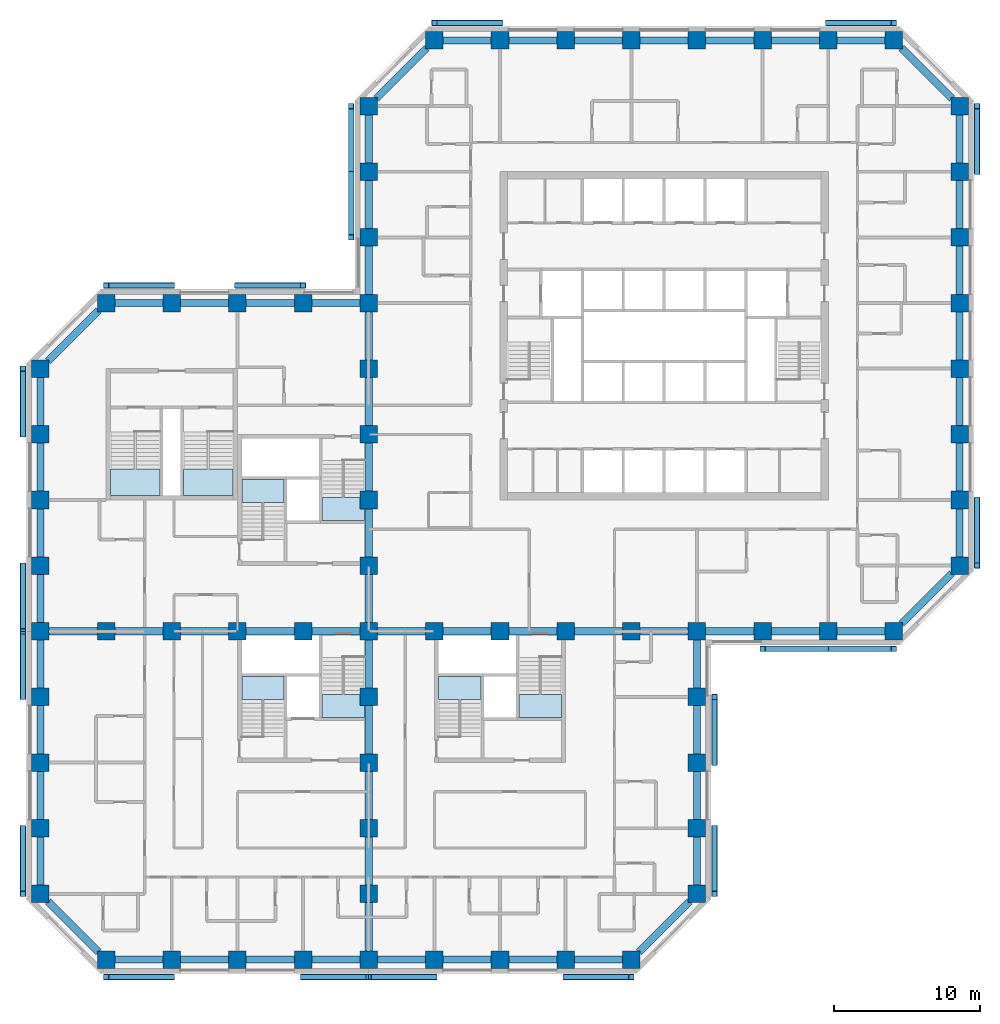
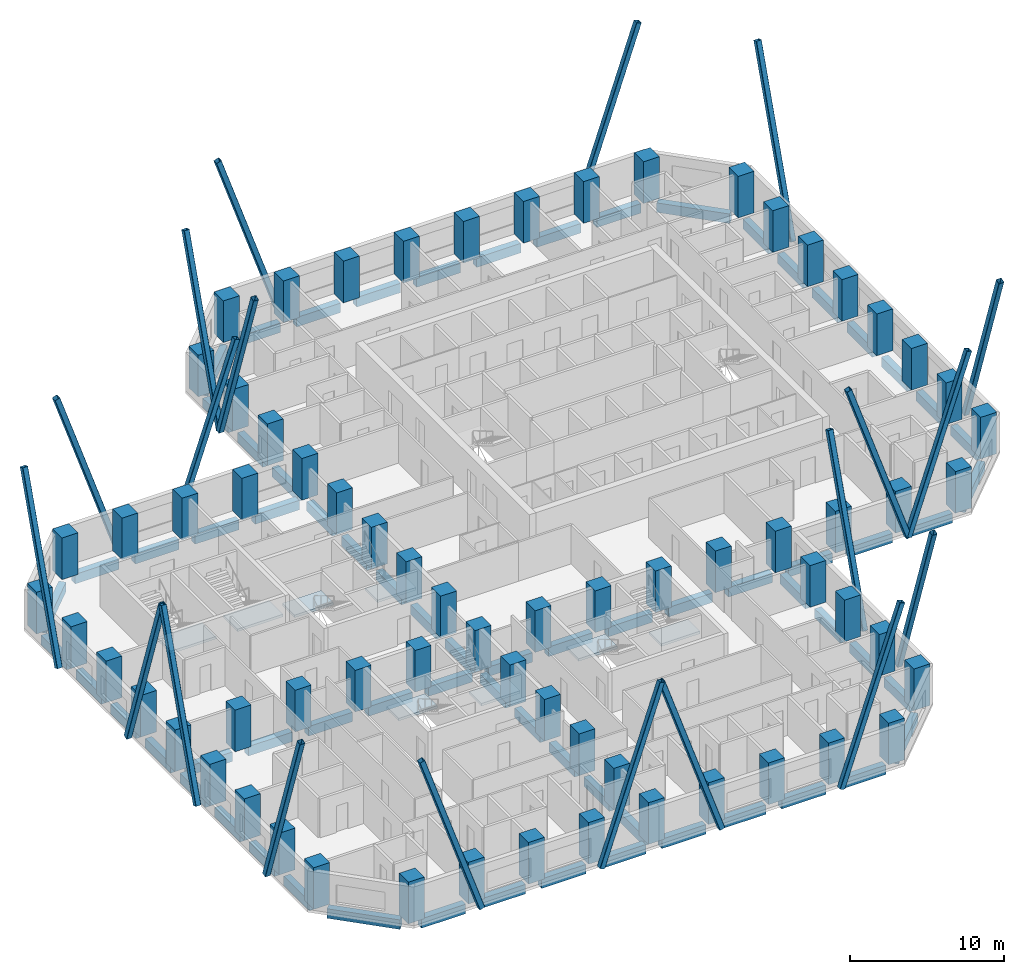
# One storey, part 1 of 13: 70 beams, 67 columns, 20 members, 8 slabs, 8 elements without a shape of their own.
"""IFC4 building model written with IfcOpenShell, lengths in metres."""

from ifc_helpers import new_model, si_unit, direction, frame, origin, origin_2d, place, context, subcontext, project, spatial, polyline, rectangle, hollow_rectangle, outline, extrude, material, layer, layer_set, material_profile, profile_set, type_object, element, aggregate, save


model = new_model("IFC4")

# Units and contexts
model_context = context("Model", 3, precision=1e-05, world=origin(), true_north=direction((0.0, 1.0)))
body_context = subcontext(model_context, "Body", "Model", "MODEL_VIEW")
ifc_project = project(units=[si_unit("LENGTHUNIT", "METRE"), si_unit("AREAUNIT", "SQUARE_METRE"), si_unit("VOLUMEUNIT", "CUBIC_METRE"), si_unit("PLANEANGLEUNIT", "RADIAN"), si_unit("MASSUNIT", "GRAM", prefix="KILO")], contexts=[model_context])

# Site, building, storey
site_placement = place(None, origin())
site = spatial("IfcSite", under=ifc_project, at=site_placement, CompositionType="ELEMENT")
building_placement = place(site_placement, origin())
building = spatial("IfcBuilding", under=site, at=building_placement, Name="Quoin Convention Tower", CompositionType="ELEMENT")
storey_placement = place(building_placement, frame((0.0, 0.0, 52.800048828125)))
storey = spatial("IfcBuildingStorey", under=building, at=storey_placement, Name="L13", CompositionType="ELEMENT", Elevation=52.800048828125)

# Columns
ifc_material_1 = material(Name="Concrete C80", Category="concrete")
ifc_material_profile_1 = material_profile(ifc_material_1, rectangle(XDim=1.199951171875, YDim=1.199951171875, at=origin_2d()), Name="RC 1200x1200")
ifc_profile_set_1 = profile_set([ifc_material_profile_1], Name="Concrete C80")
column_type = type_object("IfcColumnType", Name="RC 1200x1200 C80", PredefinedType="COLUMN", material=ifc_profile_set_1)
for number, where, z_axis, x_axis, name in (
    (1, (18.0, 18.0, 0.0), (0.0, 0.0, 1.0), (1.0, 0.0, 0.0), "col-L13-18000_18000"),
    (2, (22.5, 18.0, 0.0), (0.0, 0.0, 1.0), (1.0, 0.0, 0.0), "col-L13-22500_18000"),
    (3, (27.0, 18.0, 0.0), (0.0, 0.0, 1.0), (1.0, 0.0, 0.0), "col-L13-27000_18000"),
    (4, (31.5, 18.0, 0.0), (0.0, 0.0, 1.0), (1.0, 0.0, 0.0), "col-L13-31500_18000"),
    (5, (36.0, 18.0, 0.0), (0.0, 0.0, 1.0), (1.0, 0.0, 0.0), "col-L13-36000_18000"),
    (6, (40.5, 18.0, 0.0), (0.0, 0.0, 1.0), (1.0, 0.0, 0.0), "col-L13-40500_18000"),
    (7, (45.0, 18.0, 0.0), (0.0, 0.0, 1.0), (1.0, 0.0, 0.0), "col-L13-45000_18000"),
    (8, (49.5, 18.0, 0.0), (0.0, 0.0, 1.0), (1.0, 0.0, 0.0), "col-L13-49500_18000"),
    (9, (54.0, 18.0, 0.0), (0.0, 0.0, 1.0), (1.0, 0.0, 0.0), "col-L13-54000_18000"),
    (10, (13.5, 22.5, 0.0), (0.0, 0.0, 1.0), (1.0, 0.0, 0.0), "col-L13-13500_22500"),
    (11, (36.0, 22.5, 0.0), (0.0, 0.0, 1.0), (1.0, 0.0, 0.0), "web-L13-36000_22500"),
    (12, (58.5, 22.5, 0.0), (0.0, 0.0, 1.0), (1.0, 0.0, 0.0), "col-L13-58500_22500"),
    (13, (13.5, 27.0, 0.0), (0.0, 0.0, 1.0), (1.0, 0.0, 0.0), "col-L13-13500_27000"),
    (14, (36.0, 27.0, 0.0), (0.0, 0.0, 1.0), (1.0, 0.0, 0.0), "web-L13-36000_27000"),
    (15, (58.5, 27.0, 0.0), (0.0, 0.0, 1.0), (1.0, 0.0, 0.0), "col-L13-58500_27000"),
    (16, (13.5, 31.5, 0.0), (0.0, 0.0, 1.0), (1.0, 0.0, 0.0), "col-L13-13500_31500"),
    (17, (36.0, 31.5, 0.0), (0.0, 0.0, 1.0), (1.0, 0.0, 0.0), "web-L13-36000_31500"),
    (18, (58.5, 31.5, 0.0), (0.0, 0.0, 1.0), (1.0, 0.0, 0.0), "col-L13-58500_31500"),
    (19, (13.5, 36.0, 0.0), (0.0, 0.0, 1.0), (1.0, 0.0, 0.0), "col-L13-13500_36000"),
    (20, (36.0, 36.0, 0.0), (0.0, 0.0, 1.0), (1.0, 0.0, 0.0), "web-L13-36000_36000"),
    (21, (58.5, 36.0, 0.0), (0.0, 0.0, 1.0), (1.0, 0.0, 0.0), "col-L13-58500_36000"),
    (22, (13.5, 40.5, 0.0), (0.0, 0.0, 1.0), (1.0, 0.0, 0.0), "col-L13-13500_40500"),
    (23, (18.0, 40.5, 0.0), (0.0, 0.0, 1.0), (1.0, 0.0, 0.0), "web-L13-18000_40500"),
    (24, (22.5, 40.5, 0.0), (0.0, 0.0, 1.0), (1.0, 0.0, 0.0), "web-L13-22500_40500"),
    (25, (27.0, 40.5, 0.0), (0.0, 0.0, 1.0), (1.0, 0.0, 0.0), "web-L13-27000_40500"),
    (26, (31.5, 40.5, 0.0), (0.0, 0.0, 1.0), (1.0, 0.0, 0.0), "web-L13-31500_40500"),
    (27, (36.0, 40.5, 0.0), (0.0, 0.0, 1.0), (1.0, 0.0, 0.0), "web-L13-36000_40500"),
    (28, (40.5, 40.5, 0.0), (0.0, 0.0, 1.0), (1.0, 0.0, 0.0), "web-L13-40500_40500"),
    (29, (45.0, 40.5, 0.0), (0.0, 0.0, 1.0), (1.0, 0.0, 0.0), "web-L13-45000_40500"),
    (30, (49.5, 40.5, 0.0), (0.0, 0.0, 1.0), (1.0, 0.0, 0.0), "web-L13-49500_40500"),
    (31, (54.0, 40.5, 0.0), (0.0, 0.0, 1.0), (1.0, 0.0, 0.0), "web-L13-54000_40500"),
    (32, (58.5, 40.5, 0.0), (0.0, 0.0, 1.0), (1.0, 0.0, 0.0), "col-L13-58500_40500"),
    (33, (63.0, 40.5, 0.0), (0.0, 0.0, 1.0), (1.0, 0.0, 0.0), "col-L13-63000_40500"),
    (34, (67.5, 40.5, 0.0), (0.0, 0.0, 1.0), (1.0, 0.0, 0.0), "col-L13-67500_40500"),
    (35, (72.0, 40.5, 0.0), (0.0, 0.0, 1.0), (1.0, 0.0, 0.0), "col-L13-72000_40500"),
    (36, (13.5, 45.0, 0.0), (0.0, 0.0, 1.0), (1.0, 0.0, 0.0), "col-L13-13500_45000"),
    (37, (36.0, 45.0, 0.0), (0.0, 0.0, 1.0), (1.0, 0.0, 0.0), "web-L13-36000_45000"),
    (38, (76.5, 45.0, 0.0), (0.0, 0.0, 1.0), (1.0, 0.0, 0.0), "col-L13-76500_45000"),
    (39, (13.5, 49.5, 0.0), (0.0, 0.0, 1.0), (1.0, 0.0, 0.0), "col-L13-13500_49500"),
    (40, (36.0, 49.5, 0.0), (0.0, 0.0, 1.0), (1.0, 0.0, 0.0), "web-L13-36000_49500"),
    (41, (76.5, 49.5, 0.0), (0.0, 0.0, 1.0), (1.0, 0.0, 0.0), "col-L13-76500_49500"),
    (42, (13.5, 54.0, 0.0), (0.0, 0.0, 1.0), (1.0, 0.0, 0.0), "col-L13-13500_54000"),
    (43, (36.0, 54.0, 0.0), (0.0, 0.0, 1.0), (1.0, 0.0, 0.0), "web-L13-36000_54000"),
    (44, (76.5, 54.0, 0.0), (0.0, 0.0, 1.0), (1.0, 0.0, 0.0), "col-L13-76500_54000"),
    (45, (13.5, 58.5, 0.0), (0.0, 0.0, 1.0), (1.0, 0.0, 0.0), "col-L13-13500_58500"),
    (46, (36.0, 58.5, 0.0), (0.0, 0.0, 1.0), (1.0, 0.0, 0.0), "web-L13-36000_58500"),
    (47, (76.5, 58.5, 0.0), (0.0, 0.0, 1.0), (1.0, 0.0, 0.0), "col-L13-76500_58500"),
    (48, (18.0, 63.0, 0.0), (0.0, 0.0, 1.0), (1.0, 0.0, 0.0), "col-L13-18000_63000"),
    (49, (22.5, 63.0, 0.0), (0.0, 0.0, 1.0), (1.0, 0.0, 0.0), "col-L13-22500_63000"),
    (50, (27.0, 63.0, 0.0), (0.0, 0.0, 1.0), (1.0, 0.0, 0.0), "col-L13-27000_63000"),
    (51, (31.5, 63.0, 0.0), (0.0, 0.0, 1.0), (1.0, 0.0, 0.0), "col-L13-31500_63000"),
    (52, (36.0, 63.0, 0.0), (0.0, 0.0, 1.0), (1.0, 0.0, 0.0), "col-L13-36000_63000"),
    (53, (76.5, 63.0, 0.0), (0.0, 0.0, 1.0), (1.0, 0.0, 0.0), "col-L13-76500_63000"),
    (54, (36.0, 67.5, 0.0), (0.0, 0.0, 1.0), (1.0, 0.0, 0.0), "col-L13-36000_67500"),
    (55, (76.5, 67.5, 0.0), (0.0, 0.0, 1.0), (1.0, 0.0, 0.0), "col-L13-76500_67500"),
    (56, (36.0, 72.0, 0.0), (0.0, 0.0, 1.0), (1.0, 0.0, 0.0), "col-L13-36000_72000"),
    (57, (76.5, 72.0, 0.0), (0.0, 0.0, 1.0), (1.0, 0.0, 0.0), "col-L13-76500_72000"),
    (58, (36.0, 76.5, 0.0), (0.0, 0.0, 1.0), (1.0, 0.0, 0.0), "col-L13-36000_76500"),
    (59, (76.5, 76.5, 0.0), (0.0, 0.0, 1.0), (1.0, 0.0, 0.0), "col-L13-76500_76500"),
    (60, (40.5, 81.0, 0.0), (0.0, 0.0, 1.0), (1.0, 0.0, 0.0), "col-L13-40500_81000"),
    (61, (45.0, 81.0, 0.0), (0.0, 0.0, 1.0), (1.0, 0.0, 0.0), "col-L13-45000_81000"),
    (62, (49.5, 81.0, 0.0), (0.0, 0.0, 1.0), (1.0, 0.0, 0.0), "col-L13-49500_81000"),
    (63, (54.0, 81.0, 0.0), (0.0, 0.0, 1.0), (1.0, 0.0, 0.0), "col-L13-54000_81000"),
    (64, (58.5, 81.0, 0.0), (0.0, 0.0, 1.0), (1.0, 0.0, 0.0), "col-L13-58500_81000"),
    (65, (63.0, 81.0, 0.0), (0.0, 0.0, 1.0), (1.0, 0.0, 0.0), "col-L13-63000_81000"),
    (66, (67.5, 81.0, 0.0), (0.0, 0.0, 1.0), (1.0, 0.0, 0.0), "col-L13-67500_81000"),
    (67, (72.0, 81.0, 0.0), (0.0, 0.0, 1.0), (1.0, 0.0, 0.0), "col-L13-72000_81000"),
):
    element("IfcColumn", number, at=place(storey_placement, frame(where, z_axis=z_axis, x_axis=x_axis)), inside=storey, type_object=column_type, Name=name, PredefinedType="COLUMN", context=body_context, shape_type="SweptSolid", body=[
        extrude(rectangle(XDim=1.199951171875, YDim=1.199951171875, at=origin_2d()), origin(), (0.0, 0.0, 1.0), 3.300048828125),
    ])

# Members
ifc_material_2 = material(Name="Steel C450L0", Category="steel")
ifc_material_profile_2 = material_profile(ifc_material_2, hollow_rectangle(XDim=0.39990234375, YDim=0.39990234375, WallThickness=0.01611328125, InnerFilletRadius=0.02392578125, OuterFilletRadius=0.0400390625, at=origin_2d()), Name="400x400x16.0SHS")
ifc_profile_set_2 = profile_set([ifc_material_profile_2], Name="Steel C450L0")
member_type = type_object("IfcMemberType", Name="Exposed brace 400x400x16.0SHS", PredefinedType="BRACE", material=ifc_profile_set_2)
for number, where, z_axis, x_axis, name in (
    (68, (12.300048828125, 36.0, -0.074951171875), (0.0, 0.322674997119, 0.946509823633), (-1.0, 0.0, 0.0), "brc-L13-13500_40500-13500_36000"),
    (69, (12.300048828125, 27.0, -0.074951171875), (0.0, -0.322674997119, 0.946509823633), (1.0, 0.0, 0.0), "brc-L13-13500_27000-13500_22500"),
    (70, (12.300048828125, 54.0, -0.074951171875), (0.0, 0.322674997119, 0.946509823633), (-1.0, 0.0, 0.0), "brc-L13-13500_58500-13500_54000"),
    (71, (12.300048828125, 45.0, -0.074951171875), (0.0, -0.322674997119, 0.946509823633), (1.0, 0.0, 0.0), "brc-L13-13500_45000-13500_40500"),
    (72, (22.5, 16.800048828125, -0.074951171875), (-0.322674997119, 0.0, 0.946509823633), (0.0, -1.0, 0.0), "brc-L13-18000_18000-22500_18000"),
    (73, (31.5, 16.800048828125, -0.074951171875), (0.322674997119, 0.0, 0.946509823633), (0.0, 1.0, 0.0), "brc-L13-31500_18000-36000_18000"),
    (74, (40.5, 16.800048828125, -0.074951171875), (-0.322674997119, 0.0, 0.946509823633), (0.0, -1.0, 0.0), "brc-L13-36000_18000-40500_18000"),
    (75, (49.5, 16.800048828125, -0.074951171875), (0.322674997119, 0.0, 0.946509823633), (0.0, 1.0, 0.0), "brc-L13-49500_18000-54000_18000"),
    (76, (27.0, 64.199951171875, -0.074951171875), (0.322674997119, 0.0, 0.946509823633), (0.0, 1.0, 0.0), "brc-L13-31500_63000-27000_63000"),
    (77, (22.5, 64.199951171875, -0.074951171875), (-0.322674997119, 0.0, 0.946509823633), (0.0, -1.0, 0.0), "brc-L13-22500_63000-18000_63000"),
    (78, (34.800048828125, 72.0, -0.074951171875), (0.0, 0.322674997119, 0.946509823633), (-1.0, 0.0, 0.0), "brc-L13-36000_76500-36000_72000"),
    (79, (34.800048828125, 72.0, -0.074951171875), (0.0, -0.322674997119, 0.946509823633), (1.0, 0.0, 0.0), "brc-L13-36000_72000-36000_67500"),
    (80, (59.699951171875, 27.0, -0.074951171875), (0.0, -0.322674997119, 0.946509823633), (1.0, 0.0, 0.0), "brc-L13-58500_22500-58500_27000"),
    (81, (59.699951171875, 31.5, -0.074951171875), (0.0, 0.322674997119, 0.946509823633), (-1.0, 0.0, 0.0), "brc-L13-58500_31500-58500_36000"),
    (82, (67.5, 39.300048828125, -0.074951171875), (-0.322674997119, 0.0, 0.946509823633), (0.0, -1.0, 0.0), "brc-L13-63000_40500-67500_40500"),
    (83, (67.5, 39.300048828125, -0.074951171875), (0.322674997119, 0.0, 0.946509823633), (0.0, 1.0, 0.0), "brc-L13-67500_40500-72000_40500"),
    (84, (67.5, 82.199951171875, -0.074951171875), (0.322674997119, 0.0, 0.946509823633), (0.0, 1.0, 0.0), "brc-L13-72000_81000-67500_81000"),
    (85, (45.0, 82.199951171875, -0.074951171875), (-0.322674997119, 0.0, 0.946509823633), (0.0, -1.0, 0.0), "brc-L13-45000_81000-40500_81000"),
    (86, (77.699951171875, 49.5, -0.074951171875), (0.0, -0.322674997119, 0.946509823633), (1.0, 0.0, 0.0), "brc-L13-76500_45000-76500_49500"),
    (87, (77.699951171875, 72.0, -0.074951171875), (0.0, 0.322674997119, 0.946509823633), (-1.0, 0.0, 0.0), "brc-L13-76500_72000-76500_76500"),
):
    element("IfcMember", number, at=place(storey_placement, frame(where, z_axis=z_axis, x_axis=x_axis)), inside=storey, type_object=member_type, Name=name, PredefinedType="BRACE", context=body_context, shape_type="SweptSolid", body=[
        extrude(hollow_rectangle(XDim=0.39990234375, YDim=0.39990234375, WallThickness=0.01611328125, InnerFilletRadius=0.02392578125, OuterFilletRadius=0.0400390625, at=origin_2d()), origin(), (0.0, 0.0, 1.0), 13.94580078125),
    ])

# Beams
ifc_material_profile_3 = material_profile(ifc_material_1, rectangle(XDim=0.5, YDim=0.75, at=origin_2d()), Name="RC 500x750")
ifc_profile_set_3 = profile_set([ifc_material_profile_3], Name="Concrete C80")
beam_type = type_object("IfcBeamType", Name="RC 500x750 C80", PredefinedType="SPANDREL", material=ifc_profile_set_3)
beam_1_placement = place(storey_placement, frame((14.01513671875, 21.98486328125, -0.594970703125), z_axis=(0.707106781187, -0.707106781187, 0.0), x_axis=(0.707106781187, 0.707106781187, 0.0)))
element("IfcBeam", 88, at=beam_1_placement, inside=storey, type_object=beam_type, Name="spd-L13-13500_22500-18000_18000", PredefinedType="SPANDREL", context=body_context, shape_type="SweptSolid", body=[
    extrude(rectangle(XDim=0.5, YDim=0.75, at=origin_2d()), origin(), (0.0, 0.0, 1.0), 4.906982421875),
])
for number, where, z_axis, x_axis, name in (
    (89, (18.60009765625, 18.0, -0.594970703125), (1.0, 0.0, 0.0), (0.0, 1.0, 0.0), "spd-L13-18000_18000-22500_18000"),
    (90, (23.10009765625, 18.0, -0.594970703125), (1.0, 0.0, 0.0), (0.0, 1.0, 0.0), "spd-L13-22500_18000-27000_18000"),
    (91, (27.60009765625, 18.0, -0.594970703125), (1.0, 0.0, 0.0), (0.0, 1.0, 0.0), "spd-L13-27000_18000-31500_18000"),
    (92, (32.10009765625, 18.0, -0.594970703125), (1.0, 0.0, 0.0), (0.0, 1.0, 0.0), "spd-L13-31500_18000-36000_18000"),
    (93, (36.60009765625, 18.0, -0.594970703125), (1.0, 0.0, 0.0), (0.0, 1.0, 0.0), "spd-L13-36000_18000-40500_18000"),
    (94, (41.10009765625, 18.0, -0.594970703125), (1.0, 0.0, 0.0), (0.0, 1.0, 0.0), "spd-L13-40500_18000-45000_18000"),
    (95, (45.60009765625, 18.0, -0.594970703125), (1.0, 0.0, 0.0), (0.0, 1.0, 0.0), "spd-L13-45000_18000-49500_18000"),
    (96, (50.10009765625, 18.0, -0.594970703125), (1.0, 0.0, 0.0), (0.0, 1.0, 0.0), "spd-L13-49500_18000-54000_18000"),
):
    element("IfcBeam", number, at=place(storey_placement, frame(where, z_axis=z_axis, x_axis=x_axis)), inside=storey, type_object=beam_type, Name=name, PredefinedType="SPANDREL", context=body_context, shape_type="SweptSolid", body=[
        extrude(rectangle(XDim=0.5, YDim=0.75, at=origin_2d()), origin(), (0.0, 0.0, 1.0), 3.2998046875),
    ])
beam_2_placement = place(storey_placement, frame((54.51513671875, 18.51513671875, -0.594970703125), z_axis=(0.707106781187, 0.707106781187, 0.0), x_axis=(-0.707106781187, 0.707106781187, 0.0)))
element("IfcBeam", 97, at=beam_2_placement, inside=storey, type_object=beam_type, Name="spd-L13-54000_18000-58500_22500", PredefinedType="SPANDREL", context=body_context, shape_type="SweptSolid", body=[
    extrude(rectangle(XDim=0.5, YDim=0.75, at=origin_2d()), origin(), (0.0, 0.0, 1.0), 4.906982421875),
])
for number, where, z_axis, x_axis, name in (
    (98, (58.5, 23.10009765625, -0.594970703125), (0.0, 1.0, 0.0), (-1.0, 0.0, 0.0), "spd-L13-58500_22500-58500_27000"),
    (99, (58.5, 27.60009765625, -0.594970703125), (0.0, 1.0, 0.0), (-1.0, 0.0, 0.0), "spd-L13-58500_27000-58500_31500"),
    (100, (58.5, 32.10009765625, -0.594970703125), (0.0, 1.0, 0.0), (-1.0, 0.0, 0.0), "spd-L13-58500_31500-58500_36000"),
    (101, (58.5, 36.60009765625, -0.594970703125), (0.0, 1.0, 0.0), (-1.0, 0.0, 0.0), "spd-L13-58500_36000-58500_40500"),
    (102, (59.10009765625, 40.5, -0.594970703125), (1.0, 0.0, 0.0), (0.0, 1.0, 0.0), "spd-L13-58500_40500-63000_40500"),
    (103, (63.60009765625, 40.5, -0.594970703125), (1.0, 0.0, 0.0), (0.0, 1.0, 0.0), "spd-L13-63000_40500-67500_40500"),
    (104, (68.10009765625, 40.5, -0.594970703125), (1.0, 0.0, 0.0), (0.0, 1.0, 0.0), "spd-L13-67500_40500-72000_40500"),
):
    element("IfcBeam", number, at=place(storey_placement, frame(where, z_axis=z_axis, x_axis=x_axis)), inside=storey, type_object=beam_type, Name=name, PredefinedType="SPANDREL", context=body_context, shape_type="SweptSolid", body=[
        extrude(rectangle(XDim=0.5, YDim=0.75, at=origin_2d()), origin(), (0.0, 0.0, 1.0), 3.2998046875),
    ])
beam_3_placement = place(storey_placement, frame((72.51513671875, 41.01513671875, -0.594970703125), z_axis=(0.707106781187, 0.707106781187, 0.0), x_axis=(-0.707106781187, 0.707106781187, 0.0)))
element("IfcBeam", 105, at=beam_3_placement, inside=storey, type_object=beam_type, Name="spd-L13-72000_40500-76500_45000", PredefinedType="SPANDREL", context=body_context, shape_type="SweptSolid", body=[
    extrude(rectangle(XDim=0.5, YDim=0.75, at=origin_2d()), origin(), (0.0, 0.0, 1.0), 4.906982421875),
])
for number, where, z_axis, x_axis, name in (
    (106, (76.5, 45.60009765625, -0.594970703125), (0.0, 1.0, 0.0), (-1.0, 0.0, 0.0), "spd-L13-76500_45000-76500_49500"),
    (107, (76.5, 50.10009765625, -0.594970703125), (0.0, 1.0, 0.0), (-1.0, 0.0, 0.0), "spd-L13-76500_49500-76500_54000"),
    (108, (76.5, 54.60009765625, -0.594970703125), (0.0, 1.0, 0.0), (-1.0, 0.0, 0.0), "spd-L13-76500_54000-76500_58500"),
    (109, (76.5, 59.10009765625, -0.594970703125), (0.0, 1.0, 0.0), (-1.0, 0.0, 0.0), "spd-L13-76500_58500-76500_63000"),
    (110, (76.5, 63.60009765625, -0.594970703125), (0.0, 1.0, 0.0), (-1.0, 0.0, 0.0), "spd-L13-76500_63000-76500_67500"),
    (111, (76.5, 68.10009765625, -0.594970703125), (0.0, 1.0, 0.0), (-1.0, 0.0, 0.0), "spd-L13-76500_67500-76500_72000"),
    (112, (76.5, 72.60009765625, -0.594970703125), (0.0, 1.0, 0.0), (-1.0, 0.0, 0.0), "spd-L13-76500_72000-76500_76500"),
):
    element("IfcBeam", number, at=place(storey_placement, frame(where, z_axis=z_axis, x_axis=x_axis)), inside=storey, type_object=beam_type, Name=name, PredefinedType="SPANDREL", context=body_context, shape_type="SweptSolid", body=[
        extrude(rectangle(XDim=0.5, YDim=0.75, at=origin_2d()), origin(), (0.0, 0.0, 1.0), 3.2998046875),
    ])
beam_4_placement = place(storey_placement, frame((75.98486328125, 77.01513671875, -0.594970703125), z_axis=(-0.707106781187, 0.707106781187, 0.0), x_axis=(-0.707106781187, -0.707106781187, 0.0)))
element("IfcBeam", 113, at=beam_4_placement, inside=storey, type_object=beam_type, Name="spd-L13-76500_76500-72000_81000", PredefinedType="SPANDREL", context=body_context, shape_type="SweptSolid", body=[
    extrude(rectangle(XDim=0.5, YDim=0.75, at=origin_2d()), origin(), (0.0, 0.0, 1.0), 4.906982421875),
])
for number, where, z_axis, x_axis, name in (
    (114, (71.39990234375, 81.0, -0.594970703125), (-1.0, 0.0, 0.0), (0.0, -1.0, 0.0), "spd-L13-72000_81000-67500_81000"),
    (115, (66.89990234375, 81.0, -0.594970703125), (-1.0, 0.0, 0.0), (0.0, -1.0, 0.0), "spd-L13-67500_81000-63000_81000"),
    (116, (62.39990234375, 81.0, -0.594970703125), (-1.0, 0.0, 0.0), (0.0, -1.0, 0.0), "spd-L13-63000_81000-58500_81000"),
    (117, (57.89990234375, 81.0, -0.594970703125), (-1.0, 0.0, 0.0), (0.0, -1.0, 0.0), "spd-L13-58500_81000-54000_81000"),
    (118, (53.39990234375, 81.0, -0.594970703125), (-1.0, 0.0, 0.0), (0.0, -1.0, 0.0), "spd-L13-54000_81000-49500_81000"),
    (119, (48.89990234375, 81.0, -0.594970703125), (-1.0, 0.0, 0.0), (0.0, -1.0, 0.0), "spd-L13-49500_81000-45000_81000"),
    (120, (44.39990234375, 81.0, -0.594970703125), (-1.0, 0.0, 0.0), (0.0, -1.0, 0.0), "spd-L13-45000_81000-40500_81000"),
):
    element("IfcBeam", number, at=place(storey_placement, frame(where, z_axis=z_axis, x_axis=x_axis)), inside=storey, type_object=beam_type, Name=name, PredefinedType="SPANDREL", context=body_context, shape_type="SweptSolid", body=[
        extrude(rectangle(XDim=0.5, YDim=0.75, at=origin_2d()), origin(), (0.0, 0.0, 1.0), 3.2998046875),
    ])
beam_5_placement = place(storey_placement, frame((39.98486328125, 80.48486328125, -0.594970703125), z_axis=(-0.707106781187, -0.707106781187, 0.0), x_axis=(0.707106781187, -0.707106781187, 0.0)))
element("IfcBeam", 121, at=beam_5_placement, inside=storey, type_object=beam_type, Name="spd-L13-40500_81000-36000_76500", PredefinedType="SPANDREL", context=body_context, shape_type="SweptSolid", body=[
    extrude(rectangle(XDim=0.5, YDim=0.75, at=origin_2d()), origin(), (0.0, 0.0, 1.0), 4.906982421875),
])
for number, where, z_axis, x_axis, name in (
    (122, (36.0, 75.89990234375, -0.594970703125), (0.0, -1.0, 0.0), (1.0, 0.0, 0.0), "spd-L13-36000_76500-36000_72000"),
    (123, (36.0, 71.39990234375, -0.594970703125), (0.0, -1.0, 0.0), (1.0, 0.0, 0.0), "spd-L13-36000_72000-36000_67500"),
    (124, (36.0, 66.89990234375, -0.594970703125), (0.0, -1.0, 0.0), (1.0, 0.0, 0.0), "spd-L13-36000_67500-36000_63000"),
    (125, (35.39990234375, 63.0, -0.594970703125), (-1.0, 0.0, 0.0), (0.0, -1.0, 0.0), "spd-L13-36000_63000-31500_63000"),
    (126, (30.89990234375, 63.0, -0.594970703125), (-1.0, 0.0, 0.0), (0.0, -1.0, 0.0), "spd-L13-31500_63000-27000_63000"),
    (127, (26.39990234375, 63.0, -0.594970703125), (-1.0, 0.0, 0.0), (0.0, -1.0, 0.0), "spd-L13-27000_63000-22500_63000"),
    (128, (21.89990234375, 63.0, -0.594970703125), (-1.0, 0.0, 0.0), (0.0, -1.0, 0.0), "spd-L13-22500_63000-18000_63000"),
):
    element("IfcBeam", number, at=place(storey_placement, frame(where, z_axis=z_axis, x_axis=x_axis)), inside=storey, type_object=beam_type, Name=name, PredefinedType="SPANDREL", context=body_context, shape_type="SweptSolid", body=[
        extrude(rectangle(XDim=0.5, YDim=0.75, at=origin_2d()), origin(), (0.0, 0.0, 1.0), 3.2998046875),
    ])
beam_6_placement = place(storey_placement, frame((17.48486328125, 62.48486328125, -0.594970703125), z_axis=(-0.707106781187, -0.707106781187, 0.0), x_axis=(0.707106781187, -0.707106781187, 0.0)))
element("IfcBeam", 129, at=beam_6_placement, inside=storey, type_object=beam_type, Name="spd-L13-18000_63000-13500_58500", PredefinedType="SPANDREL", context=body_context, shape_type="SweptSolid", body=[
    extrude(rectangle(XDim=0.5, YDim=0.75, at=origin_2d()), origin(), (0.0, 0.0, 1.0), 4.906982421875),
])
for number, where, z_axis, x_axis, name in (
    (130, (13.5, 57.89990234375, -0.594970703125), (0.0, -1.0, 0.0), (1.0, 0.0, 0.0), "spd-L13-13500_58500-13500_54000"),
    (131, (13.5, 53.39990234375, -0.594970703125), (0.0, -1.0, 0.0), (1.0, 0.0, 0.0), "spd-L13-13500_54000-13500_49500"),
    (132, (13.5, 48.89990234375, -0.594970703125), (0.0, -1.0, 0.0), (1.0, 0.0, 0.0), "spd-L13-13500_49500-13500_45000"),
    (133, (13.5, 44.39990234375, -0.594970703125), (0.0, -1.0, 0.0), (1.0, 0.0, 0.0), "spd-L13-13500_45000-13500_40500"),
    (134, (13.5, 39.89990234375, -0.594970703125), (0.0, -1.0, 0.0), (1.0, 0.0, 0.0), "spd-L13-13500_40500-13500_36000"),
    (135, (13.5, 35.39990234375, -0.594970703125), (0.0, -1.0, 0.0), (1.0, 0.0, 0.0), "spd-L13-13500_36000-13500_31500"),
    (136, (13.5, 30.89990234375, -0.594970703125), (0.0, -1.0, 0.0), (1.0, 0.0, 0.0), "spd-L13-13500_31500-13500_27000"),
    (137, (13.5, 26.39990234375, -0.594970703125), (0.0, -1.0, 0.0), (1.0, 0.0, 0.0), "spd-L13-13500_27000-13500_22500"),
    (138, (14.10009765625, 40.5, -0.594970703125), (1.0, 0.0, 0.0), (0.0, 1.0, 0.0), "spd-L13-13500_40500-18000_40500"),
    (139, (18.60009765625, 40.5, -0.594970703125), (1.0, 0.0, 0.0), (0.0, 1.0, 0.0), "spd-L13-18000_40500-22500_40500"),
    (140, (23.10009765625, 40.5, -0.594970703125), (1.0, 0.0, 0.0), (0.0, 1.0, 0.0), "spd-L13-22500_40500-27000_40500"),
    (141, (27.60009765625, 40.5, -0.594970703125), (1.0, 0.0, 0.0), (0.0, 1.0, 0.0), "spd-L13-27000_40500-31500_40500"),
    (142, (32.10009765625, 40.5, -0.594970703125), (1.0, 0.0, 0.0), (0.0, 1.0, 0.0), "spd-L13-31500_40500-36000_40500"),
    (143, (36.60009765625, 40.5, -0.594970703125), (1.0, 0.0, 0.0), (0.0, 1.0, 0.0), "spd-L13-36000_40500-40500_40500"),
    (144, (41.10009765625, 40.5, -0.594970703125), (1.0, 0.0, 0.0), (0.0, 1.0, 0.0), "spd-L13-40500_40500-45000_40500"),
    (145, (45.60009765625, 40.5, -0.594970703125), (1.0, 0.0, 0.0), (0.0, 1.0, 0.0), "spd-L13-45000_40500-49500_40500"),
    (146, (50.10009765625, 40.5, -0.594970703125), (1.0, 0.0, 0.0), (0.0, 1.0, 0.0), "spd-L13-49500_40500-54000_40500"),
    (147, (54.60009765625, 40.5, -0.594970703125), (1.0, 0.0, 0.0), (0.0, 1.0, 0.0), "spd-L13-54000_40500-58500_40500"),
    (148, (36.0, 18.60009765625, -0.594970703125), (0.0, 1.0, 0.0), (-1.0, 0.0, 0.0), "spd-L13-36000_18000-36000_22500"),
    (149, (36.0, 23.10009765625, -0.594970703125), (0.0, 1.0, 0.0), (-1.0, 0.0, 0.0), "spd-L13-36000_22500-36000_27000"),
    (150, (36.0, 27.60009765625, -0.594970703125), (0.0, 1.0, 0.0), (-1.0, 0.0, 0.0), "spd-L13-36000_27000-36000_31500"),
    (151, (36.0, 32.10009765625, -0.594970703125), (0.0, 1.0, 0.0), (-1.0, 0.0, 0.0), "spd-L13-36000_31500-36000_36000"),
    (152, (36.0, 36.60009765625, -0.594970703125), (0.0, 1.0, 0.0), (-1.0, 0.0, 0.0), "spd-L13-36000_36000-36000_40500"),
    (153, (36.0, 41.10009765625, -0.594970703125), (0.0, 1.0, 0.0), (-1.0, 0.0, 0.0), "spd-L13-36000_40500-36000_45000"),
    (154, (36.0, 45.60009765625, -0.594970703125), (0.0, 1.0, 0.0), (-1.0, 0.0, 0.0), "spd-L13-36000_45000-36000_49500"),
    (155, (36.0, 50.10009765625, -0.594970703125), (0.0, 1.0, 0.0), (-1.0, 0.0, 0.0), "spd-L13-36000_49500-36000_54000"),
    (156, (36.0, 54.60009765625, -0.594970703125), (0.0, 1.0, 0.0), (-1.0, 0.0, 0.0), "spd-L13-36000_54000-36000_58500"),
    (157, (36.0, 59.10009765625, -0.594970703125), (0.0, 1.0, 0.0), (-1.0, 0.0, 0.0), "spd-L13-36000_58500-36000_63000"),
):
    element("IfcBeam", number, at=place(storey_placement, frame(where, z_axis=z_axis, x_axis=x_axis)), inside=storey, type_object=beam_type, Name=name, PredefinedType="SPANDREL", context=body_context, shape_type="SweptSolid", body=[
        extrude(rectangle(XDim=0.5, YDim=0.75, at=origin_2d()), origin(), (0.0, 0.0, 1.0), 3.2998046875),
    ])

# Stair, slab
ifc_material_3 = material(Name="Concrete C40", Category="concrete")
stair_type_1 = type_object("IfcStairType", Name="Exit stair two-flight 1350", PredefinedType="HALF_TURN_STAIR", material=ifc_material_3)
stair_1_placement = place(storey_placement, origin())
stair_1 = element("IfcStair", 158, at=stair_1_placement, inside=storey, type_object=stair_type_1, Name="SD3 L13", PredefinedType="HALF_TURN_STAIR")
ifc_layer = layer(ifc_material_3, 0.199951171875)
ifc_layer_set = layer_set([ifc_layer], Name="Concrete C40")
slab_type = type_object("IfcSlabType", Name="Stair landing 200", PredefinedType="LANDING", material=ifc_layer_set)
slab_1_placement = place(storey_placement, frame((0.0, 0.0, 1.449951171875)))
slab_1 = element("IfcSlab", 159, at=slab_1_placement, type_object=slab_type, Name="ST3 landing 1", PredefinedType="LANDING", context=body_context, shape_type="SweptSolid", body=[
    extrude(outline(polyline([(27.300048828125, 49.320068359375), (30.199951171875, 49.320068359375), (30.199951171875, 50.89990234375), (27.300048828125, 50.89990234375), (27.300048828125, 49.320068359375)])), origin(), (0.0, 0.0, 1.0), 0.199951171875),
])
aggregate(stair_1, [slab_1])

stair_2_placement = place(storey_placement, origin())
stair_2 = element("IfcStair", 160, at=stair_2_placement, inside=storey, type_object=stair_type_1, Name="SD4 L13", PredefinedType="HALF_TURN_STAIR")
slab_2_placement = place(storey_placement, frame((0.0, 0.0, 1.449951171875)))
slab_2 = element("IfcSlab", 161, at=slab_2_placement, type_object=slab_type, Name="ST4 landing 1", PredefinedType="LANDING", context=body_context, shape_type="SweptSolid", body=[
    extrude(outline(polyline([(35.699951171875, 49.679931640625), (32.800048828125, 49.679931640625), (32.800048828125, 48.10009765625), (35.699951171875, 48.10009765625), (35.699951171875, 49.679931640625)])), origin(), (0.0, 0.0, 1.0), 0.199951171875),
])
aggregate(stair_2, [slab_2])

stair_3_placement = place(storey_placement, origin())
stair_3 = element("IfcStair", 162, at=stair_3_placement, inside=storey, type_object=stair_type_1, Name="SD5 L13", PredefinedType="HALF_TURN_STAIR")
slab_3_placement = place(storey_placement, frame((0.0, 0.0, 1.449951171875)))
slab_3 = element("IfcSlab", 163, at=slab_3_placement, type_object=slab_type, Name="ST5 landing 1", PredefinedType="LANDING", context=body_context, shape_type="SweptSolid", body=[
    extrude(outline(polyline([(40.800048828125, 35.820068359375), (43.699951171875, 35.820068359375), (43.699951171875, 37.39990234375), (40.800048828125, 37.39990234375), (40.800048828125, 35.820068359375)])), origin(), (0.0, 0.0, 1.0), 0.199951171875),
])
aggregate(stair_3, [slab_3])

stair_4_placement = place(storey_placement, origin())
stair_4 = element("IfcStair", 164, at=stair_4_placement, inside=storey, type_object=stair_type_1, Name="SD6 L13", PredefinedType="HALF_TURN_STAIR")
slab_4_placement = place(storey_placement, frame((0.0, 0.0, 1.449951171875)))
slab_4 = element("IfcSlab", 165, at=slab_4_placement, type_object=slab_type, Name="ST6 landing 1", PredefinedType="LANDING", context=body_context, shape_type="SweptSolid", body=[
    extrude(outline(polyline([(49.199951171875, 36.179931640625), (46.300048828125, 36.179931640625), (46.300048828125, 34.60009765625), (49.199951171875, 34.60009765625), (49.199951171875, 36.179931640625)])), origin(), (0.0, 0.0, 1.0), 0.199951171875),
])
aggregate(stair_4, [slab_4])

stair_5_placement = place(storey_placement, origin())
stair_5 = element("IfcStair", 166, at=stair_5_placement, inside=storey, type_object=stair_type_1, Name="SD7 L13", PredefinedType="HALF_TURN_STAIR")
slab_5_placement = place(storey_placement, frame((0.0, 0.0, 1.449951171875)))
slab_5 = element("IfcSlab", 167, at=slab_5_placement, type_object=slab_type, Name="ST7 landing 1", PredefinedType="LANDING", context=body_context, shape_type="SweptSolid", body=[
    extrude(outline(polyline([(27.300048828125, 35.820068359375), (30.199951171875, 35.820068359375), (30.199951171875, 37.39990234375), (27.300048828125, 37.39990234375), (27.300048828125, 35.820068359375)])), origin(), (0.0, 0.0, 1.0), 0.199951171875),
])
aggregate(stair_5, [slab_5])

stair_6_placement = place(storey_placement, origin())
stair_6 = element("IfcStair", 168, at=stair_6_placement, inside=storey, type_object=stair_type_1, Name="SD8 L13", PredefinedType="HALF_TURN_STAIR")
slab_6_placement = place(storey_placement, frame((0.0, 0.0, 1.449951171875)))
slab_6 = element("IfcSlab", 169, at=slab_6_placement, type_object=slab_type, Name="ST8 landing 1", PredefinedType="LANDING", context=body_context, shape_type="SweptSolid", body=[
    extrude(outline(polyline([(35.699951171875, 36.179931640625), (32.800048828125, 36.179931640625), (32.800048828125, 34.60009765625), (35.699951171875, 34.60009765625), (35.699951171875, 36.179931640625)])), origin(), (0.0, 0.0, 1.0), 0.199951171875),
])
aggregate(stair_6, [slab_6])

stair_type_2 = type_object("IfcStairType", Name="Exit stair two-flight 1600", PredefinedType="HALF_TURN_STAIR", material=ifc_material_3)
stair_7_placement = place(storey_placement, origin())
stair_7 = element("IfcStair", 170, at=stair_7_placement, inside=storey, type_object=stair_type_2, Name="SD11 L13", PredefinedType="HALF_TURN_STAIR")
slab_7_placement = place(storey_placement, frame((0.0, 0.0, 1.449951171875)))
slab_7 = element("IfcSlab", 171, at=slab_7_placement, type_object=slab_type, Name="ST11 landing 1", PredefinedType="LANDING", context=body_context, shape_type="SweptSolid", body=[
    extrude(outline(polyline([(21.699951171875, 51.6298828125), (18.300048828125, 51.6298828125), (18.300048828125, 49.800048828125), (21.699951171875, 49.800048828125), (21.699951171875, 51.6298828125)])), origin(), (0.0, 0.0, 1.0), 0.199951171875),
])
aggregate(stair_7, [slab_7])

stair_8_placement = place(storey_placement, origin())
stair_8 = element("IfcStair", 172, at=stair_8_placement, inside=storey, type_object=stair_type_2, Name="SD12 L13", PredefinedType="HALF_TURN_STAIR")
slab_8_placement = place(storey_placement, frame((0.0, 0.0, 1.449951171875)))
slab_8 = element("IfcSlab", 173, at=slab_8_placement, type_object=slab_type, Name="ST12 landing 1", PredefinedType="LANDING", context=body_context, shape_type="SweptSolid", body=[
    extrude(outline(polyline([(26.699951171875, 51.6298828125), (23.300048828125, 51.6298828125), (23.300048828125, 49.800048828125), (26.699951171875, 49.800048828125), (26.699951171875, 51.6298828125)])), origin(), (0.0, 0.0, 1.0), 0.199951171875),
])
aggregate(stair_8, [slab_8])

save(model, "model.ifc")
